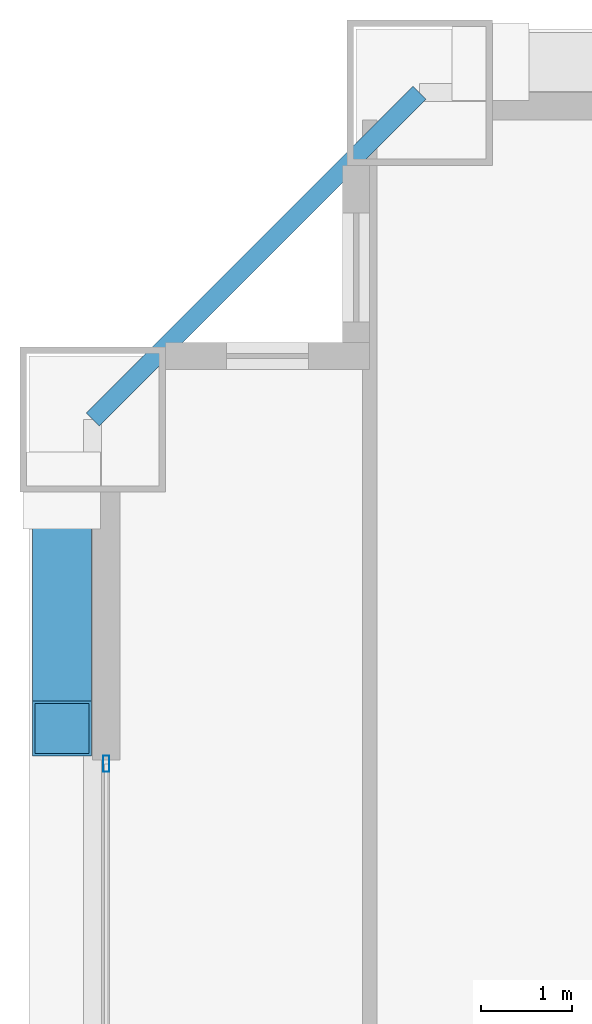
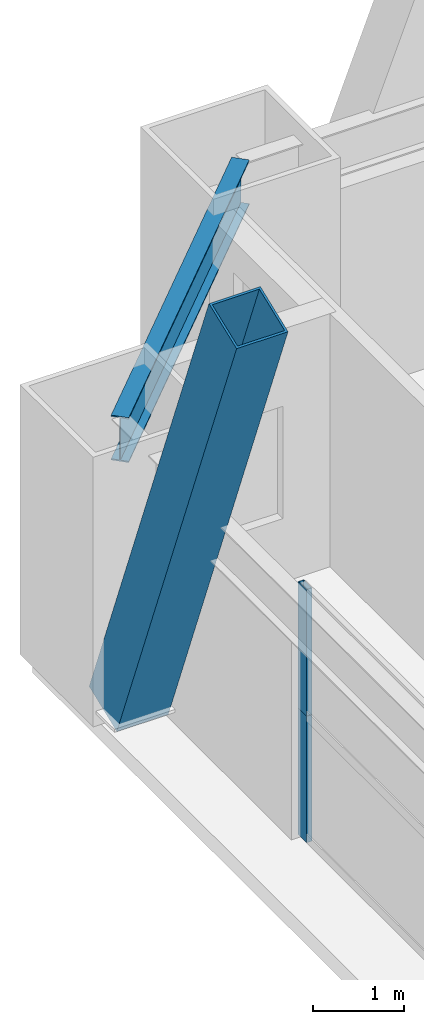
# One storey, part 23 of 41: 3 members, 1 beam, 1 element without a shape of its own.
"""IFC4 building model written with IfcOpenShell, lengths in metres."""

from ifc_helpers import new_model, si_unit, direction, frame, origin, origin_2d, place, context, subcontext, project, spatial, hollow_rectangle, i_section, extrude, source, transform, mapped, material, layer, layer_set, material_profile, profile_set, type_object, element, aggregate, save


model = new_model("IFC4")

# Units and contexts
model_context = context("Model", 3, precision=1e-05, world=origin(), true_north=direction((0.0, 1.0)))
body_context = subcontext(model_context, "Body", "Model", "MODEL_VIEW")
ifc_project = project(units=[si_unit("LENGTHUNIT", "METRE"), si_unit("AREAUNIT", "SQUARE_METRE"), si_unit("VOLUMEUNIT", "CUBIC_METRE"), si_unit("PLANEANGLEUNIT", "RADIAN"), si_unit("MASSUNIT", "GRAM", prefix="KILO"), si_unit("THERMODYNAMICTEMPERATUREUNIT", "KELVIN"), si_unit("POWERUNIT", "WATT")], contexts=[model_context])

# Site, building, storey
site_placement = place(None, origin())
site = spatial("IfcSite", under=ifc_project, at=site_placement, CompositionType="ELEMENT")
building_placement = place(site_placement, origin())
building = spatial("IfcBuilding", under=site, at=building_placement, Name="Yuzanri Waterfront Tower", CompositionType="ELEMENT")
storey_placement = place(building_placement, frame((0.0, 0.0, 122.60009765625)))
storey = spatial("IfcBuildingStorey", under=building, at=storey_placement, Name="L32", CompositionType="ELEMENT", Elevation=122.60009765625)

# Beam
ifc_material_1 = material(Name="Steel Q355B", Category="steel")
ifc_material_profile_1 = material_profile(ifc_material_1, i_section(OverallWidth=0.199951171875, OverallDepth=0.60009765625, WebThickness=0.010986328125, FlangeThickness=0.01708984375, at=origin_2d()), Name="HN 600x200x11x17")
ifc_profile_set_1 = profile_set([ifc_material_profile_1], Name="Steel Q355B")
beam_type = type_object("IfcBeamType", Name="Perimeter Spandrel Q355B HN 600x200", PredefinedType="SPANDREL", material=ifc_profile_set_1)
shared_shape_1 = source(origin(), body_context, "Body", "SweptSolid", [
    extrude(i_section(OverallWidth=0.199951171875, OverallDepth=0.60009765625, WebThickness=0.010986328125, FlangeThickness=0.01708984375, at=origin_2d()), origin(), (0.0, 0.0, 1.0), 5.091064453125),
])
beam_placement = place(storey_placement, frame((17.0, 49.39990234375, 3.079833984375), z_axis=(-0.707130757816, -0.707082803744, 0.0), x_axis=(0.707082803744, -0.707130757816, 0.0)))
element("IfcBeam", 1, at=beam_placement, inside=storey, type_object=beam_type, Name="L32 Perimeter Spandrel N1-W3", PredefinedType="SPANDREL", context=body_context, shape_type="MappedRepresentation", body=[
    mapped(shared_shape_1, transform((0.0, 0.0, 0.0), scale=1.0)),
])

# Member
ifc_material_2 = material(Name="Steel Q420GJC", Category="steel")
ifc_material_profile_2 = material_profile(ifc_material_2, hollow_rectangle(XDim=0.64990234375, YDim=0.64990234375, WallThickness=0.028076171875, at=origin_2d()), Name="RHS 650x650x28")
ifc_profile_set_2 = profile_set([ifc_material_profile_2], Name="Steel Q420GJC")
member_type_1 = type_object("IfcMemberType", Name="Mega Brace Lower Q420GJC RHS 650x650x28", PredefinedType="BRACE", material=ifc_profile_set_2)
shared_shape_2 = source(origin(), body_context, "Body", "SweptSolid", [
    extrude(hollow_rectangle(XDim=0.64990234375, YDim=0.64990234375, WallThickness=0.028076171875, at=origin_2d()), origin(), (0.0, 0.0, 1.0), 7.194091796875),
])
member_1_placement = place(storey_placement, frame((13.06005859375, 45.02001953125, 0.179931640625), z_axis=(0.0, -0.36420612543, 0.931318365651), x_axis=(1.0, 0.0, 0.0)))
element("IfcMember", 2, at=member_1_placement, inside=storey, type_object=member_type_1, Name="L32-L33 Perimeter Mega-Brace W-R", PredefinedType="BRACE", context=body_context, shape_type="MappedRepresentation", body=[
    mapped(shared_shape_2, transform((0.0, 0.0, 0.0), scale=1.0)),
])

# Curtain wall, members
ifc_material_3 = material(Name="Anodized Architectural Bronze", Category="metal")
ifc_layer = layer(ifc_material_3, 0.159912109375)
ifc_layer_set = layer_set([ifc_layer], Name="Anodized Architectural Bronze")
curtain_wall_type = type_object("IfcCurtainWallType", Name="Anodized Bronze Hotel Upper-Tier Solar-Control Unitized Curtain Wall 7800", PredefinedType="NOTDEFINED", material=ifc_layer_set)
curtain_wall_placement = place(storey_placement, origin())
curtain_wall = element("IfcCurtainWall", 3, at=curtain_wall_placement, inside=storey, type_object=curtain_wall_type, Name="L32 Curtain Wall CW-L32-WR", PredefinedType="NOTDEFINED")
ifc_material_4 = material(Name="Anodized Architectural Bronze", Category="metal")
ifc_material_profile_3 = material_profile(ifc_material_4, hollow_rectangle(XDim=0.070068359375, YDim=0.179931640625, WallThickness=0.00390625, at=origin_2d()), Name="CWM 70x180")
ifc_profile_set_3 = profile_set([ifc_material_profile_3], Name="Anodized Architectural Bronze")
member_type_2 = type_object("IfcMemberType", Name="Anodized Bronze Standard Curtain-Wall Mullion 70x180", PredefinedType="MULLION", material=ifc_profile_set_3)
shared_shape_3 = source(origin(), body_context, "Body", "SweptSolid", [
    extrude(hollow_rectangle(XDim=0.070068359375, YDim=0.179931640625, WallThickness=0.00390625, at=origin_2d()), origin(), (0.0, 0.0, 1.0), 1.68798828125),
])
member_2_placement = place(storey_placement, frame((13.550048828125, 42.010009765625, 0.0), z_axis=(0.0, 0.0, 1.0), x_axis=(1.0, 0.0, 0.0)))
member_2 = element("IfcMember", 4, at=member_2_placement, type_object=member_type_2, Name="CW-L32-WR Lower Mullion 02", PredefinedType="MULLION", context=body_context, shape_type="MappedRepresentation", body=[
    mapped(shared_shape_3, transform((0.0, 0.0, 0.0), scale=1.0)),
])
member_3_placement = place(storey_placement, frame((13.550048828125, 42.010009765625, 1.69189453125), z_axis=(0.0, 0.0, 1.0), x_axis=(1.0, 0.0, 0.0)))
member_3 = element("IfcMember", 5, at=member_3_placement, type_object=member_type_2, Name="CW-L32-WR Upper Mullion 02", PredefinedType="MULLION", context=body_context, shape_type="MappedRepresentation", body=[
    mapped(shared_shape_3, transform((0.0, 0.0, 0.0), scale=1.0)),
])
aggregate(curtain_wall, [member_2, member_3])

save(model, "model.ifc")
